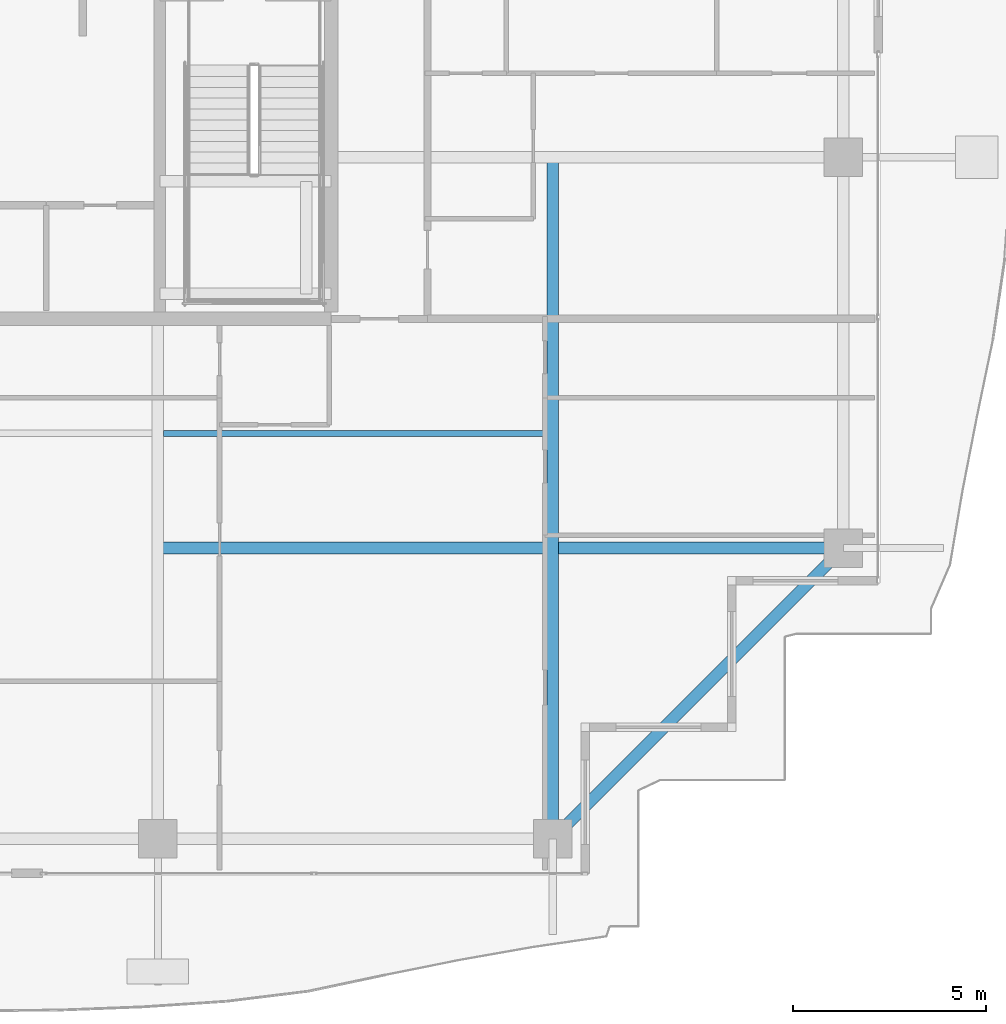
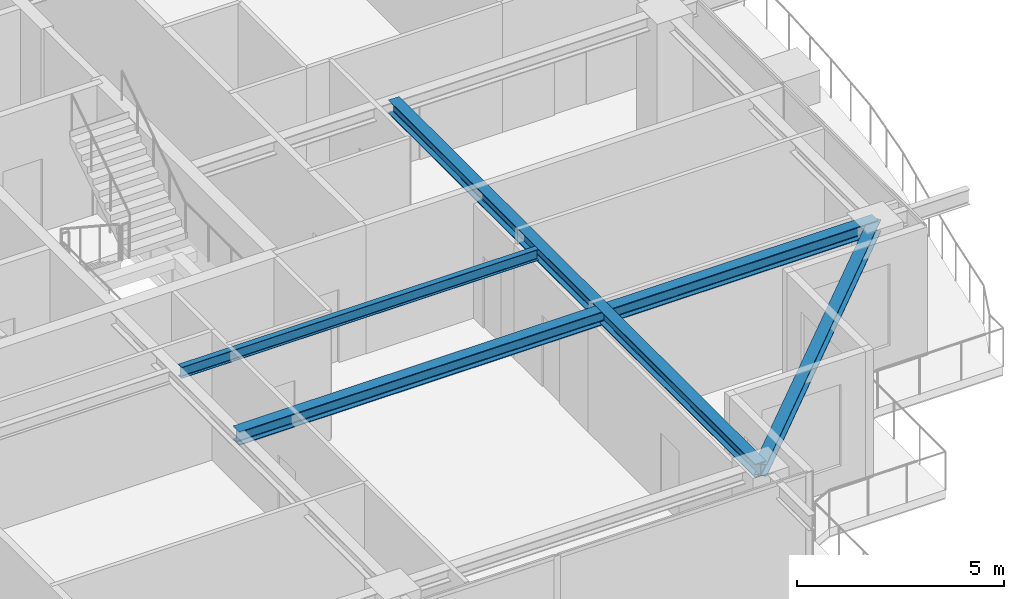
# One storey, part 13 of 42: 4 beams.
"""IFC4 building model written with IfcOpenShell, lengths in metres."""

from ifc_helpers import new_model, si_unit, direction, frame, origin, origin_2d, place, context, subcontext, project, spatial, i_section, extrude, source, transform, mapped, material, material_profile, profile_set, type_object, element, save


model = new_model("IFC4")

# Units and contexts
model_context = context("Model", 3, precision=1e-05, world=origin(), true_north=direction((0.0, 1.0)))
body_context = subcontext(model_context, "Body", "Model", "MODEL_VIEW")
ifc_project = project(units=[si_unit("LENGTHUNIT", "METRE"), si_unit("AREAUNIT", "SQUARE_METRE"), si_unit("VOLUMEUNIT", "CUBIC_METRE"), si_unit("PLANEANGLEUNIT", "RADIAN"), si_unit("MASSUNIT", "GRAM", prefix="KILO")], contexts=[model_context])

# Site, building, storey
site_placement = place(None, origin())
site = spatial("IfcSite", under=ifc_project, at=site_placement, CompositionType="ELEMENT")
building_placement = place(site_placement, origin())
building = spatial("IfcBuilding", under=site, at=building_placement, Name="Serunith Strait Residences", CompositionType="ELEMENT")
storey_placement = place(building_placement, frame((0.0, 0.0, 293.449951171875)))
storey = spatial("IfcBuildingStorey", under=building, at=storey_placement, Name="L73", CompositionType="ELEMENT", Elevation=293.449951171875)

# Beams
ifc_material = material(Name="Steel S355J2", Category="steel")
ifc_material_profile_1 = material_profile(ifc_material, i_section(OverallWidth=0.159912109375, OverallDepth=0.330078125, WebThickness=0.007568359375, FlangeThickness=0.011474609375, FilletRadius=0.01806640625, at=origin_2d()), Name="IPE 330")
ifc_profile_set_1 = profile_set([ifc_material_profile_1], Name="Steel S355J2")
beam_type_1 = type_object("IfcBeamType", Name="BM-IPE330", PredefinedType="JOIST", material=ifc_profile_set_1)
shared_shape_1 = source(origin(), body_context, "Body", "SweptSolid", [
    extrude(i_section(OverallWidth=0.159912109375, OverallDepth=0.330078125, WebThickness=0.007568359375, FlangeThickness=0.011474609375, FilletRadius=0.01806640625, at=origin_2d()), origin(), (0.0, 0.0, 1.0), 9.949951171875),
])
beam_1_placement = place(storey_placement, frame((37.050048828125, 13.824951171875, 3.6220703125), z_axis=(1.0, 0.0, 0.0), x_axis=(0.0, 1.0, 0.0)))
element("IfcBeam", 1, at=beam_1_placement, inside=storey, type_object=beam_type_1, Name="L73 Composite Floor Joist 03", PredefinedType="JOIST", context=body_context, shape_type="MappedRepresentation", body=[
    mapped(shared_shape_1, transform((0.0, 0.0, 0.0), scale=1.0)),
])
ifc_material_profile_2 = material_profile(ifc_material, i_section(OverallWidth=0.300048828125, OverallDepth=0.39990234375, WebThickness=0.013427734375, FlangeThickness=0.02392578125, FilletRadius=0.027099609375, at=origin_2d()), Name="HEB 400")
ifc_profile_set_2 = profile_set([ifc_material_profile_2], Name="Steel S355J2")
beam_type_2 = type_object("IfcBeamType", Name="BM-HEB400", PredefinedType="BEAM", material=ifc_profile_set_2)
shared_shape_2 = source(origin(), body_context, "Body", "SweptSolid", [
    extrude(i_section(OverallWidth=0.300048828125, OverallDepth=0.39990234375, WebThickness=0.013427734375, FlangeThickness=0.02392578125, FilletRadius=0.027099609375, at=origin_2d()), origin(), (0.0, 0.0, 1.0), 17.699951171875),
])
beam_2_placement = place(storey_placement, frame((47.14990234375, 21.0, 3.587158203125), z_axis=(0.0, -1.0, 0.0), x_axis=(1.0, 0.0, 0.0)))
element("IfcBeam", 2, at=beam_2_placement, inside=storey, type_object=beam_type_2, Name="L73 Orthogonal Corner Girder TC-S4", PredefinedType="BEAM", context=body_context, shape_type="MappedRepresentation", body=[
    mapped(shared_shape_2, transform((0.0, 0.0, 0.0), scale=1.0)),
])
shared_shape_3 = source(origin(), body_context, "Body", "SweptSolid", [
    extrude(i_section(OverallWidth=0.300048828125, OverallDepth=0.39990234375, WebThickness=0.013427734375, FlangeThickness=0.02392578125, FilletRadius=0.027099609375, at=origin_2d()), origin(), (0.0, 0.0, 1.0), 17.800048828125),
])
beam_3_placement = place(storey_placement, frame((36.89990234375, 10.85009765625, 3.587158203125), z_axis=(1.0, 0.0, 0.0), x_axis=(0.0, 1.0, 0.0)))
element("IfcBeam", 3, at=beam_3_placement, inside=storey, type_object=beam_type_2, Name="L73 Orthogonal Corner Girder TC-E1", PredefinedType="BEAM", context=body_context, shape_type="MappedRepresentation", body=[
    mapped(shared_shape_3, transform((0.0, 0.0, 0.0), scale=1.0)),
])
ifc_material_profile_3 = material_profile(ifc_material, i_section(OverallWidth=0.300048828125, OverallDepth=0.360107421875, WebThickness=0.012451171875, FlangeThickness=0.0224609375, FilletRadius=0.027099609375, at=origin_2d()), Name="HEB 360")
ifc_profile_set_3 = profile_set([ifc_material_profile_3], Name="Steel S355J2")
beam_type_3 = type_object("IfcBeamType", Name="BM-HEB360", PredefinedType="BEAM", material=ifc_profile_set_3)
shared_shape_4 = source(origin(), body_context, "Body", "SweptSolid", [
    extrude(i_section(OverallWidth=0.300048828125, OverallDepth=0.360107421875, WebThickness=0.012451171875, FlangeThickness=0.0224609375, FilletRadius=0.027099609375, at=origin_2d()), origin(), (0.0, 0.0, 1.0), 10.677490234375),
])
beam_4_placement = place(storey_placement, frame((47.14990234375, 3.300048828125, 3.5771484375), z_axis=(0.707106781187, 0.707106781187, 0.0), x_axis=(-0.707106781187, 0.707106781187, 0.0)))
element("IfcBeam", 4, at=beam_4_placement, inside=storey, type_object=beam_type_3, Name="L73 Perimeter Ring Beam 04", PredefinedType="BEAM", context=body_context, shape_type="MappedRepresentation", body=[
    mapped(shared_shape_4, transform((0.0, 0.0, 0.0), scale=1.0)),
])

save(model, "model.ifc")
